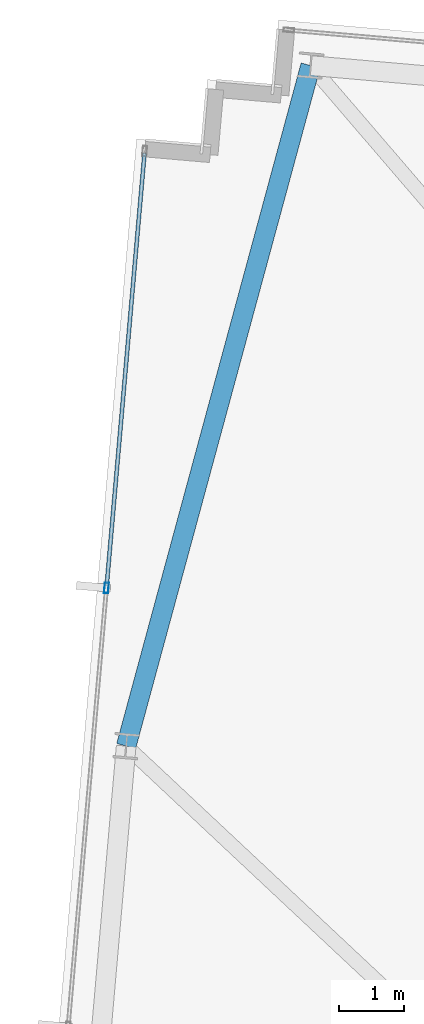
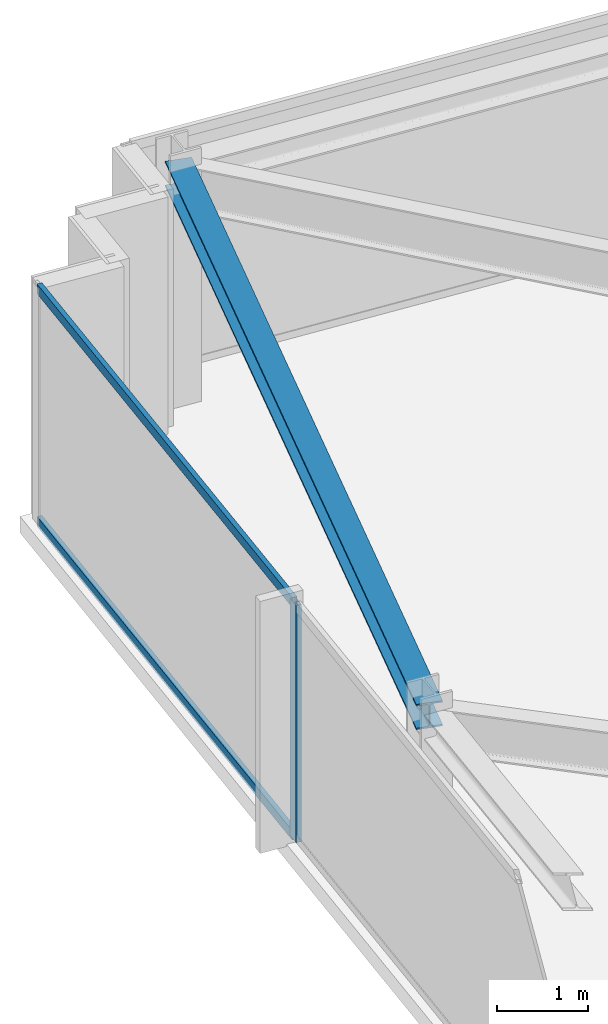
# One storey, part 11 of 33: 3 members, 1 beam, 1 element without a shape of its own.
"""IFC4 building model written with IfcOpenShell, lengths in metres."""

from ifc_helpers import new_model, si_unit, direction, frame, origin, origin_2d, place, context, subcontext, project, spatial, hollow_rectangle, i_section, extrude, material, material_profile, profile_set, type_object, element, aggregate, save


model = new_model("IFC4")

# Units and contexts
model_context = context("Model", 3, precision=1e-05, world=origin(), true_north=direction((0.0, 1.0)))
body_context = subcontext(model_context, "Body", "Model", "MODEL_VIEW")
ifc_project = project(units=[si_unit("LENGTHUNIT", "METRE"), si_unit("AREAUNIT", "SQUARE_METRE"), si_unit("VOLUMEUNIT", "CUBIC_METRE"), si_unit("PLANEANGLEUNIT", "RADIAN"), si_unit("MASSUNIT", "GRAM", prefix="KILO")], contexts=[model_context])

# Site, building, storey
site_placement = place(None, origin())
site = spatial("IfcSite", under=ifc_project, at=site_placement, CompositionType="ELEMENT")
building_placement = place(site_placement, origin())
building = spatial("IfcBuilding", under=site, at=building_placement, Name="Yelkora Congress Tower", CompositionType="ELEMENT")
storey_placement = place(building_placement, frame((0.0, 0.0, 289.699951171875)))
storey = spatial("IfcBuildingStorey", under=building, at=storey_placement, Name="L81", CompositionType="ELEMENT", Elevation=289.699951171875)

# Beam
ifc_material_1 = material(Name="Steel S355J2", Category="steel")
ifc_material_profile_1 = material_profile(ifc_material_1, i_section(OverallWidth=0.300048828125, OverallDepth=0.340087890625, WebThickness=0.011962890625, FlangeThickness=0.021484375, FilletRadius=0.027099609375, at=origin_2d()), Name="HEB 340")
ifc_profile_set_1 = profile_set([ifc_material_profile_1], Name="Steel S355J2")
beam_type = type_object("IfcBeamType", Name="BM-SPAN-HEB340", PredefinedType="SPANDREL", material=ifc_profile_set_1)
beam_placement = place(storey_placement, frame((10.60400390625, 49.884033203125, 3.010009765625), z_axis=(-0.261553643334, -0.965188940912, 0.0), x_axis=(0.965188940912, -0.261553643334, 0.0)))
element("IfcBeam", 1, at=beam_placement, inside=storey, type_object=beam_type, Name="L81 Perimeter Beam 13", PredefinedType="SPANDREL", context=body_context, shape_type="SweptSolid", body=[
    extrude(i_section(OverallWidth=0.300048828125, OverallDepth=0.340087890625, WebThickness=0.011962890625, FlangeThickness=0.021484375, FilletRadius=0.027099609375, at=origin_2d()), origin(), (0.0, 0.0, 1.0), 10.768798828125),
])

# Curtain wall, members
ifc_material_2 = material(Name="Anodised aluminium and insulated glass", Category="aluminium")
curtain_wall_type = type_object("IfcCurtainWallType", Name="CW-SYS-B5", PredefinedType="NOTDEFINED", material=ifc_material_2)
curtain_wall_placement = place(storey_placement, origin())
curtain_wall = element("IfcCurtainWall", 2, at=curtain_wall_placement, inside=storey, type_object=curtain_wall_type, Name="L81 Unitised Curtain Wall 5", PredefinedType="NOTDEFINED")
ifc_material_3 = material(Name="Anodised aluminium 6063-T6", Category="aluminium")
ifc_material_profile_2 = material_profile(ifc_material_3, hollow_rectangle(XDim=0.06494140625, YDim=0.159912109375, WallThickness=0.00390625, at=origin_2d()), Name="ALU 65x160x4")
ifc_profile_set_2 = profile_set([ifc_material_profile_2], Name="Anodised aluminium 6063-T6")
member_type_1 = type_object("IfcMemberType", Name="MEM-ML-B5", PredefinedType="MULLION", material=ifc_profile_set_2)
member_1_placement = place(storey_placement, frame((7.48681640625, 41.9052734375, 0.0), z_axis=(0.0, 0.0, 1.0), x_axis=(-0.996194785929, 0.08715473876, 0.0)))
member_1 = element("IfcMember", 3, at=member_1_placement, type_object=member_type_1, Name="CW-B5 mullion 4", PredefinedType="MULLION", context=body_context, shape_type="SweptSolid", body=[
    extrude(hollow_rectangle(XDim=0.06494140625, YDim=0.159912109375, WallThickness=0.00390625, at=origin_2d()), origin(), (0.0, 0.0, 1.0), 3.179931640625),
])
ifc_material_profile_3 = material_profile(ifc_material_3, hollow_rectangle(XDim=0.06005859375, YDim=0.1298828125, WallThickness=0.00390625, at=origin_2d()), Name="ALU 60x130x4")
ifc_profile_set_3 = profile_set([ifc_material_profile_3], Name="Anodised aluminium 6063-T6")
member_type_2 = type_object("IfcMemberType", Name="MEM-TR-B5", PredefinedType="USERDEFINED", material=ifc_profile_set_3)
member_2_placement = place(storey_placement, frame((7.489501953125, 41.937744140625, 0.030029296875), z_axis=(0.08716649365, 0.996193757451, 0.0), x_axis=(-0.996193757451, 0.08716649365, 0.0)))
member_2 = element("IfcMember", 4, at=member_2_placement, type_object=member_type_2, Name="CW-B5 transom 4.1", ObjectType="TRANSOM", PredefinedType="USERDEFINED", context=body_context, shape_type="SweptSolid", body=[
    extrude(hollow_rectangle(XDim=0.06005859375, YDim=0.1298828125, WallThickness=0.00390625, at=origin_2d()), origin(), (0.0, 0.0, 1.0), 6.63232421875),
])
member_3_placement = place(storey_placement, frame((7.489501953125, 41.937744140625, 3.150146484375), z_axis=(0.08716649365, 0.996193757451, 0.0), x_axis=(-0.996193757451, 0.08716649365, 0.0)))
member_3 = element("IfcMember", 5, at=member_3_placement, type_object=member_type_2, Name="CW-B5 transom 4.2", ObjectType="TRANSOM", PredefinedType="USERDEFINED", context=body_context, shape_type="SweptSolid", body=[
    extrude(hollow_rectangle(XDim=0.06005859375, YDim=0.1298828125, WallThickness=0.00390625, at=origin_2d()), origin(), (0.0, 0.0, 1.0), 6.63232421875),
])
aggregate(curtain_wall, [member_1, member_2, member_3])

save(model, "model.ifc")
